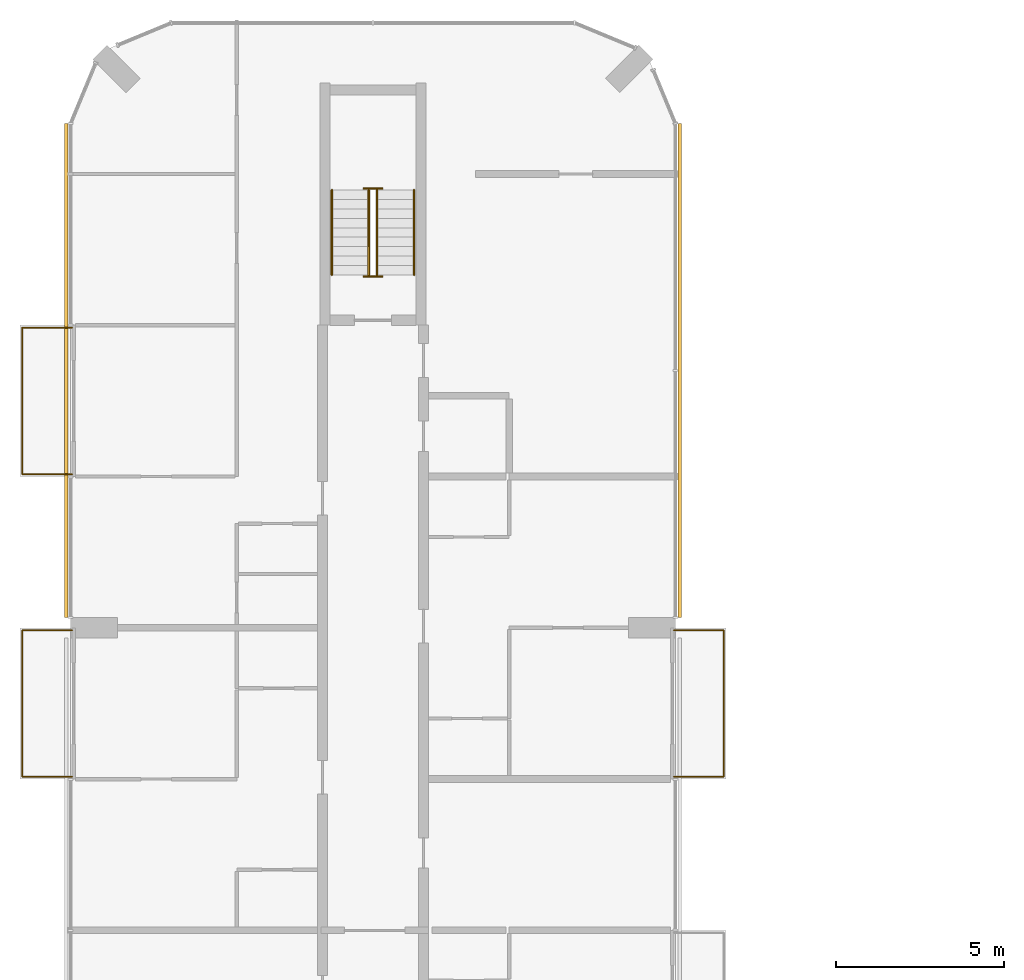
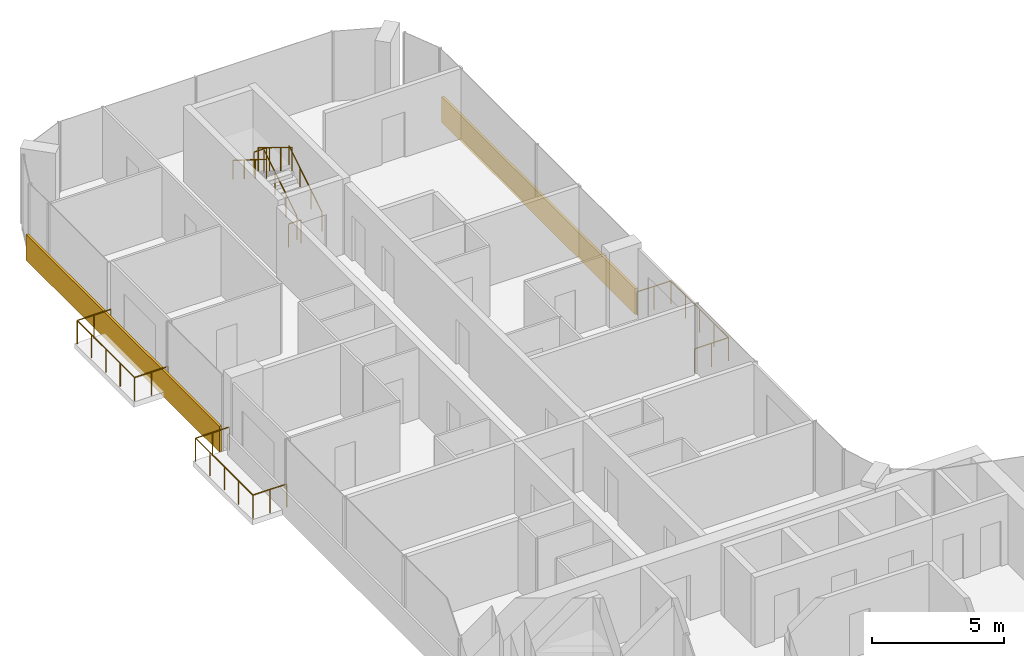
# One storey, part 15 of 15: 9 railings, 2 coverings.
"""IFC4 building model written with IfcOpenShell, lengths in metres."""

from ifc_helpers import new_model, si_unit, direction, frame, origin, origin_2d, place, context, subcontext, project, spatial, rectangle, circle, extrude, material, layer, layer_set, type_object, element, save


model = new_model("IFC4")

# Units and contexts
model_context = context("Model", 3, precision=1e-05, world=origin(), true_north=direction((0.0, 1.0)))
body_context = subcontext(model_context, "Body", "Model", "MODEL_VIEW")
ifc_project = project(units=[si_unit("LENGTHUNIT", "METRE"), si_unit("AREAUNIT", "SQUARE_METRE"), si_unit("VOLUMEUNIT", "CUBIC_METRE"), si_unit("PLANEANGLEUNIT", "RADIAN"), si_unit("MASSUNIT", "GRAM", prefix="KILO")], contexts=[model_context])

# Site, building, storey
site_placement = place(None, origin())
site = spatial("IfcSite", under=ifc_project, at=site_placement, CompositionType="ELEMENT")
building_placement = place(site_placement, origin())
building = spatial("IfcBuilding", under=site, at=building_placement, Name="Plateau Cross Towers", CompositionType="ELEMENT")
storey_placement = place(building_placement, frame((0.0, 0.0, 153.39990234375)))
storey = spatial("IfcBuildingStorey", under=building, at=storey_placement, Name="L39", CompositionType="ELEMENT", Elevation=153.39990234375)

# Railings
ifc_material_1 = material(Name="Stainless steel and toughened glass", Category="steel")
railing_type_1 = type_object("IfcRailingType", Name="Glass balustrade guard 1100", PredefinedType="GUARDRAIL", material=ifc_material_1)
for number, where, name in (
    (1, (0.050048828125, 31.570068359375, 0.0), "Guard guard1"),
    (2, (0.050048828125, 40.570068359375, 0.0), "Guard guard1"),
):
    element("IfcRailing", number, at=place(storey_placement, frame(where)), inside=storey, type_object=railing_type_1, Name=name, PredefinedType="GUARDRAIL", context=body_context, shape_type="SweptSolid", body=[
        extrude(circle(Radius=0.02392578125, at=origin_2d()), frame((0.0, 0.0, 1.076171875), z_axis=(-1.0, 0.0, 0.0), x_axis=(0.0, -1.0, 0.0)), (0.0, 0.0, 1.0), 1.47998046875),
        extrude(circle(Radius=0.02392578125, at=origin_2d()), frame((-1.47998046875, 0.0, 1.076171875), z_axis=(0.0, 1.0, 0.0), x_axis=(-1.0, 0.0, 0.0)), (0.0, 0.0, 1.0), 4.35986328125),
        extrude(circle(Radius=0.02392578125, at=origin_2d()), frame((-1.47998046875, 4.35986328125, 1.076171875), z_axis=(1.0, 0.0, 0.0), x_axis=(0.0, 1.0, 0.0)), (0.0, 0.0, 1.0), 1.47998046875),
        extrude(circle(Radius=0.02099609375, at=origin_2d()), origin(), (0.0, 0.0, 1.0), 1.052001953125),
        extrude(circle(Radius=0.02099609375, at=origin_2d()), frame((-0.739990234375, 0.0, 0.0)), (0.0, 0.0, 1.0), 1.052001953125),
        extrude(circle(Radius=0.02099609375, at=origin_2d()), frame((-1.47998046875, 0.0, 0.0)), (0.0, 0.0, 1.0), 1.052001953125),
        extrude(circle(Radius=0.02099609375, at=origin_2d()), frame((-1.47998046875, 1.08984375, 0.0)), (0.0, 0.0, 1.0), 1.052001953125),
        extrude(circle(Radius=0.02099609375, at=origin_2d()), frame((-1.47998046875, 2.179931640625, 0.0)), (0.0, 0.0, 1.0), 1.052001953125),
        extrude(circle(Radius=0.02099609375, at=origin_2d()), frame((-1.47998046875, 3.27001953125, 0.0)), (0.0, 0.0, 1.0), 1.052001953125),
        extrude(circle(Radius=0.02099609375, at=origin_2d()), frame((-1.47998046875, 4.35986328125, 0.0)), (0.0, 0.0, 1.0), 1.052001953125),
        extrude(circle(Radius=0.02099609375, at=origin_2d()), frame((-0.739990234375, 4.35986328125, 0.0)), (0.0, 0.0, 1.0), 1.052001953125),
        extrude(circle(Radius=0.02099609375, at=origin_2d()), frame((0.0, 4.35986328125, 0.0)), (0.0, 0.0, 1.0), 1.052001953125),
    ])
railing_1_placement = place(storey_placement, frame((17.949951171875, 35.929931640625, 0.0)))
element("IfcRailing", 3, at=railing_1_placement, inside=storey, type_object=railing_type_1, Name="Guard guard1", PredefinedType="GUARDRAIL", context=body_context, shape_type="SweptSolid", body=[
    extrude(circle(Radius=0.02392578125, at=origin_2d()), frame((0.0, 0.0, 1.076171875), z_axis=(1.0, 0.0, 0.0), x_axis=(0.0, 1.0, 0.0)), (0.0, 0.0, 1.0), 1.47998046875),
    extrude(circle(Radius=0.02392578125, at=origin_2d()), frame((1.47998046875, 0.0, 1.076171875), z_axis=(0.0, -1.0, 0.0), x_axis=(1.0, 0.0, 0.0)), (0.0, 0.0, 1.0), 4.35986328125),
    extrude(circle(Radius=0.02392578125, at=origin_2d()), frame((1.47998046875, -4.35986328125, 1.076171875), z_axis=(-1.0, 0.0, 0.0), x_axis=(0.0, -1.0, 0.0)), (0.0, 0.0, 1.0), 1.47998046875),
    extrude(circle(Radius=0.02099609375, at=origin_2d()), origin(), (0.0, 0.0, 1.0), 1.052001953125),
    extrude(circle(Radius=0.02099609375, at=origin_2d()), frame((0.739990234375, 0.0, 0.0)), (0.0, 0.0, 1.0), 1.052001953125),
    extrude(circle(Radius=0.02099609375, at=origin_2d()), frame((1.47998046875, 0.0, 0.0)), (0.0, 0.0, 1.0), 1.052001953125),
    extrude(circle(Radius=0.02099609375, at=origin_2d()), frame((1.47998046875, -1.08984375, 0.0)), (0.0, 0.0, 1.0), 1.052001953125),
    extrude(circle(Radius=0.02099609375, at=origin_2d()), frame((1.47998046875, -2.179931640625, 0.0)), (0.0, 0.0, 1.0), 1.052001953125),
    extrude(circle(Radius=0.02099609375, at=origin_2d()), frame((1.47998046875, -3.27001953125, 0.0)), (0.0, 0.0, 1.0), 1.052001953125),
    extrude(circle(Radius=0.02099609375, at=origin_2d()), frame((1.47998046875, -4.35986328125, 0.0)), (0.0, 0.0, 1.0), 1.052001953125),
    extrude(circle(Radius=0.02099609375, at=origin_2d()), frame((0.739990234375, -4.35986328125, 0.0)), (0.0, 0.0, 1.0), 1.052001953125),
    extrude(circle(Radius=0.02099609375, at=origin_2d()), frame((0.0, -4.35986328125, 0.0)), (0.0, 0.0, 1.0), 1.052001953125),
])
railing_type_2 = type_object("IfcRailingType", Name="RL-GUARD-1100", PredefinedType="GUARDRAIL", material=ifc_material_1)
railing_2_placement = place(storey_placement, frame((9.125, 46.5, 0.175048828125)))
element("IfcRailing", 4, at=railing_2_placement, inside=storey, type_object=railing_type_2, Name="L39 ES-N stair guard 1", PredefinedType="GUARDRAIL", context=body_context, shape_type="SweptSolid", body=[
    extrude(circle(Radius=0.02392578125, at=origin_2d()), frame((0.0, 0.0, 1.076171875), z_axis=(0.0, 0.848007534815, 0.529984170421), x_axis=(-1.0, 0.0, 0.0)), (0.0, 0.0, 1.0), 2.9716796875),
    extrude(circle(Radius=0.02099609375, at=origin_2d()), origin(), (0.0, 0.0, 1.0), 1.052001953125),
    extrude(circle(Radius=0.02099609375, at=origin_2d()), frame((0.0, 0.840087890625, 0.52490234375)), (0.0, 0.0, 1.0), 1.052001953125),
    extrude(circle(Radius=0.02099609375, at=origin_2d()), frame((0.0, 1.679931640625, 1.050048828125)), (0.0, 0.0, 1.0), 1.052001953125),
    extrude(circle(Radius=0.02099609375, at=origin_2d()), frame((0.0, 2.52001953125, 1.574951171875)), (0.0, 0.0, 1.0), 1.052001953125),
])
railing_3_placement = place(storey_placement, frame((9.27490234375, 49.070068359375, 1.75)))
element("IfcRailing", 5, at=railing_3_placement, inside=storey, type_object=railing_type_2, Name="L39 ES-N stair guard 2", PredefinedType="GUARDRAIL", context=body_context, shape_type="SweptSolid", body=[
    extrude(circle(Radius=0.02392578125, at=origin_2d()), frame((0.0, 0.0, 1.076171875), z_axis=(-1.0, 0.0, 0.0), x_axis=(0.0, -1.0, 0.0)), (0.0, 0.0, 1.0), 0.5498046875),
    extrude(circle(Radius=0.02099609375, at=origin_2d()), origin(), (0.0, 0.0, 1.0), 1.052001953125),
    extrude(circle(Radius=0.02099609375, at=origin_2d()), frame((-0.5498046875, 0.0, 0.0)), (0.0, 0.0, 1.0), 1.052001953125),
])
railing_4_placement = place(storey_placement, frame((8.875, 49.02001953125, 1.925048828125)))
element("IfcRailing", 6, at=railing_4_placement, inside=storey, type_object=railing_type_2, Name="L39 ES-N stair guard 3", PredefinedType="GUARDRAIL", context=body_context, shape_type="SweptSolid", body=[
    extrude(circle(Radius=0.02392578125, at=origin_2d()), frame((0.0, 0.0, 1.076171875), z_axis=(0.0, -0.852638500773, 0.522501279423), x_axis=(1.0, 0.0, 0.0)), (0.0, 0.0, 1.0), 3.01416015625),
    extrude(circle(Radius=0.02099609375, at=origin_2d()), origin(), (0.0, 0.0, 1.0), 1.052001953125),
    extrude(circle(Radius=0.02099609375, at=origin_2d()), frame((0.0, -0.856689453125, 0.52490234375)), (0.0, 0.0, 1.0), 1.052001953125),
    extrude(circle(Radius=0.02099609375, at=origin_2d()), frame((0.0, -1.71337890625, 1.050048828125)), (0.0, 0.0, 1.0), 1.052001953125),
    extrude(circle(Radius=0.02099609375, at=origin_2d()), frame((0.0, -2.570068359375, 1.574951171875)), (0.0, 0.0, 1.0), 1.052001953125),
])
railing_5_placement = place(storey_placement, frame((9.27490234375, 46.449951171875, 0.0)))
element("IfcRailing", 7, at=railing_5_placement, inside=storey, type_object=railing_type_2, Name="L39 ES-N stair guard 4", PredefinedType="GUARDRAIL", context=body_context, shape_type="SweptSolid", body=[
    extrude(circle(Radius=0.02392578125, at=origin_2d()), frame((0.0, 0.0, 1.076171875), z_axis=(-1.0, 0.0, 0.0), x_axis=(0.0, -1.0, 0.0)), (0.0, 0.0, 1.0), 0.5498046875),
    extrude(circle(Radius=0.02099609375, at=origin_2d()), origin(), (0.0, 0.0, 1.0), 1.052001953125),
    extrude(circle(Radius=0.02099609375, at=origin_2d()), frame((-0.5498046875, 0.0, 0.0)), (0.0, 0.0, 1.0), 1.052001953125),
])
ifc_material_2 = material(Name="Black anodised aluminium", Category="aluminium")
railing_type_3 = type_object("IfcRailingType", Name="RL-HANDRAIL-900", PredefinedType="HANDRAIL", material=ifc_material_2)
railing_6_placement = place(storey_placement, frame((10.22509765625, 46.5, 0.175048828125)))
element("IfcRailing", 8, at=railing_6_placement, inside=storey, type_object=railing_type_3, Name="L39 ES-N stair handrail 1", PredefinedType="HANDRAIL", context=body_context, shape_type="SweptSolid", body=[
    extrude(circle(Radius=0.02392578125, at=origin_2d()), frame((0.0, 0.0, 0.8759765625), z_axis=(0.0, 0.848007534815, 0.529984170421), x_axis=(-1.0, 0.0, 0.0)), (0.0, 0.0, 1.0), 2.9716796875),
    extrude(circle(Radius=0.02099609375, at=origin_2d()), origin(), (0.0, 0.0, 1.0), 0.851806640625),
    extrude(circle(Radius=0.02099609375, at=origin_2d()), frame((0.0, 0.840087890625, 0.52490234375)), (0.0, 0.0, 1.0), 0.851806640625),
    extrude(circle(Radius=0.02099609375, at=origin_2d()), frame((0.0, 1.679931640625, 1.050048828125)), (0.0, 0.0, 1.0), 0.851806640625),
    extrude(circle(Radius=0.02099609375, at=origin_2d()), frame((0.0, 2.52001953125, 1.574951171875)), (0.0, 0.0, 1.0), 0.851806640625),
])
railing_7_placement = place(storey_placement, frame((7.77490234375, 49.02001953125, 1.925048828125)))
element("IfcRailing", 9, at=railing_7_placement, inside=storey, type_object=railing_type_3, Name="L39 ES-N stair handrail 2", PredefinedType="HANDRAIL", context=body_context, shape_type="SweptSolid", body=[
    extrude(circle(Radius=0.02392578125, at=origin_2d()), frame((0.0, 0.0, 0.8759765625), z_axis=(0.0, -0.848007534815, 0.529984170421), x_axis=(1.0, 0.0, 0.0)), (0.0, 0.0, 1.0), 2.9716796875),
    extrude(circle(Radius=0.02099609375, at=origin_2d()), origin(), (0.0, 0.0, 1.0), 0.851806640625),
    extrude(circle(Radius=0.02099609375, at=origin_2d()), frame((0.0, -0.840087890625, 0.52490234375)), (0.0, 0.0, 1.0), 0.851806640625),
    extrude(circle(Radius=0.02099609375, at=origin_2d()), frame((0.0, -1.679931640625, 1.050048828125)), (0.0, 0.0, 1.0), 0.851806640625),
    extrude(circle(Radius=0.02099609375, at=origin_2d()), frame((0.0, -2.52001953125, 1.574951171875)), (0.0, 0.0, 1.0), 0.851806640625),
])

# Coverings
ifc_material_3 = material(Name="Precast concrete cladding C40/50", Category="concrete")
ifc_layer = layer(ifc_material_3, 0.10009765625)
ifc_layer_set = layer_set([ifc_layer], Name="Precast concrete cladding C40/50")
covering_type = type_object("IfcCoveringType", Name="Spandrel band cladding 100x1200", PredefinedType="CLADDING", material=ifc_layer_set)
for number, where, z_axis, x_axis, name in (
    (10, (18.1201171875, 43.64990234375, -0.25), (0.0, 0.0, 1.0), (0.0, 1.0, 0.0), "Spandrel band"),
    (11, (-0.1201171875, 43.64990234375, -0.25), (0.0, 0.0, 1.0), (0.0, -1.0, 0.0), "Spandrel band"),
):
    element("IfcCovering", number, at=place(storey_placement, frame(where, z_axis=z_axis, x_axis=x_axis)), inside=storey, type_object=covering_type, Name=name, PredefinedType="CLADDING", context=body_context, shape_type="SweptSolid", body=[
        extrude(rectangle(XDim=14.699951171875, YDim=0.10009765625, at=origin_2d()), origin(), (0.0, 0.0, 1.0), 1.199951171875),
    ])

save(model, "model.ifc")
